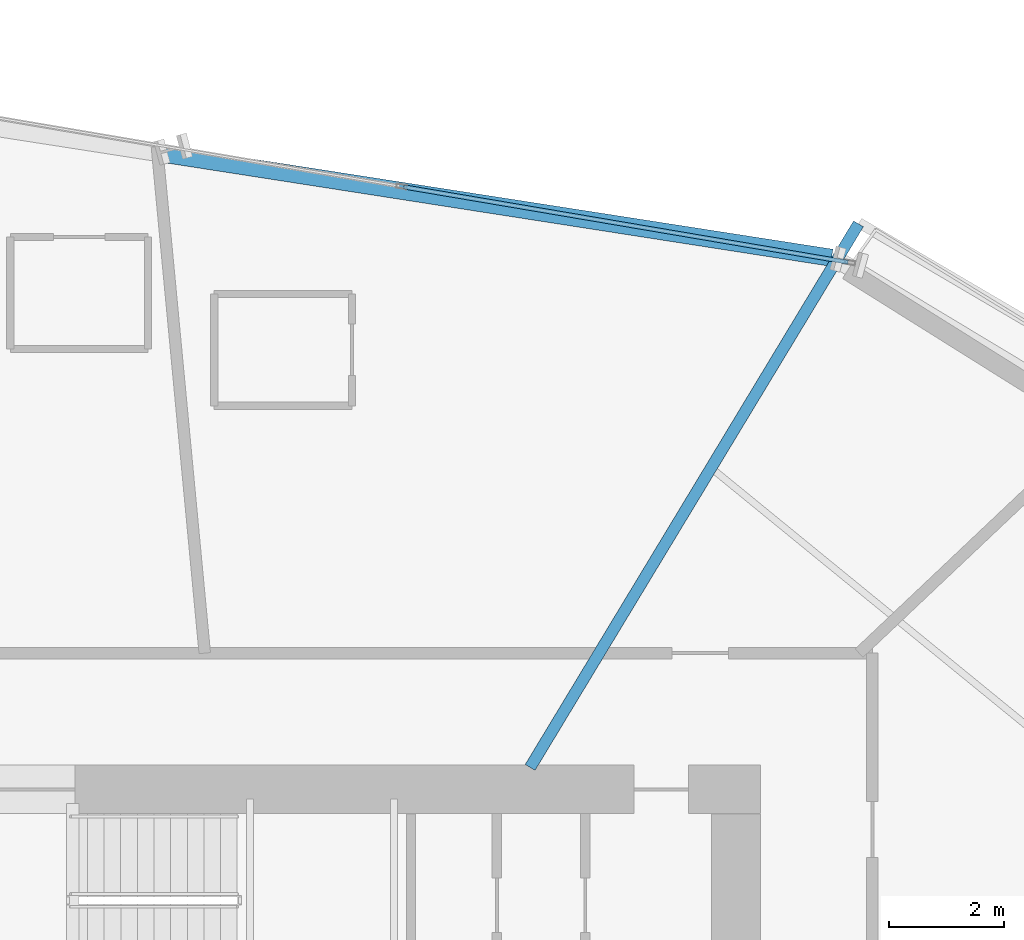
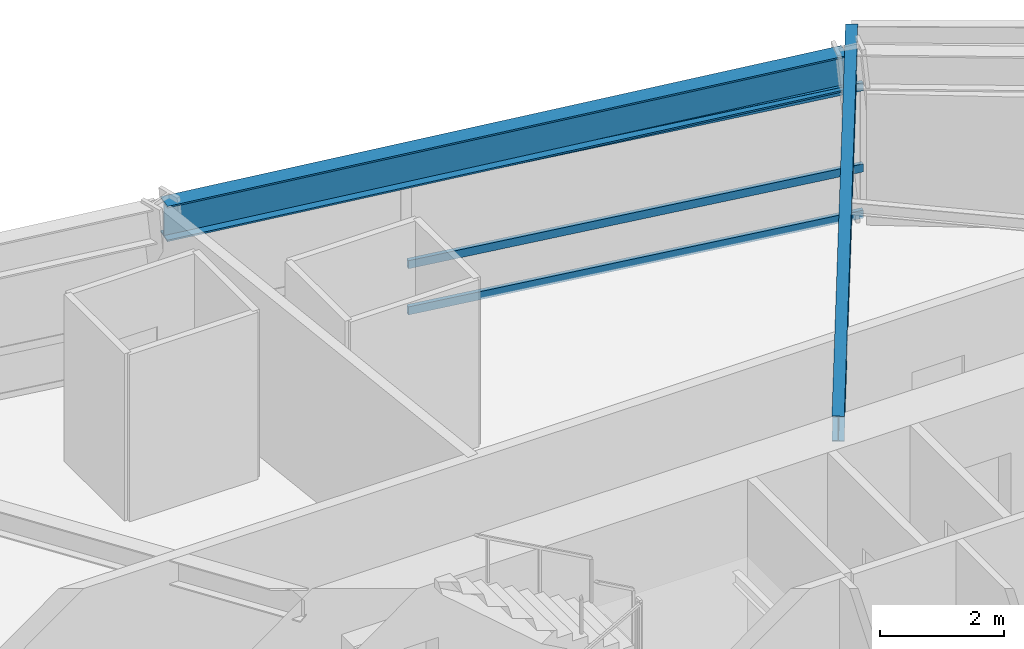
# One storey, part 9 of 21: 3 members, 2 beams, 1 element without a shape of its own.
"""IFC4 building model written with IfcOpenShell, lengths in metres."""

from ifc_helpers import new_model, si_unit, direction, frame, origin, origin_2d, place, context, subcontext, project, spatial, hollow_rectangle, i_section, extrude, source, transform, mapped, material, material_profile, profile_set, type_object, element, aggregate, save


model = new_model("IFC4")

# Units and contexts
model_context = context("Model", 3, precision=1e-05, world=origin(), true_north=direction((0.0, 1.0)))
body_context = subcontext(model_context, "Body", "Model", "MODEL_VIEW")
ifc_project = project(units=[si_unit("LENGTHUNIT", "METRE"), si_unit("AREAUNIT", "SQUARE_METRE"), si_unit("VOLUMEUNIT", "CUBIC_METRE"), si_unit("PLANEANGLEUNIT", "RADIAN"), si_unit("MASSUNIT", "GRAM", prefix="KILO")], contexts=[model_context])

# Site, building, storey
site_placement = place(None, origin())
site = spatial("IfcSite", under=ifc_project, at=site_placement, CompositionType="ELEMENT")
building_placement = place(site_placement, origin())
building = spatial("IfcBuilding", under=site, at=building_placement, Name="Olszyna Solenne Hotel", CompositionType="ELEMENT")
storey_placement = place(building_placement, frame((0.0, 0.0, 47.050048828125)))
storey = spatial("IfcBuildingStorey", under=building, at=storey_placement, Name="L11", CompositionType="ELEMENT", Elevation=47.050048828125)

# Beams
ifc_material_1 = material(Name="Steel S355J2", Category="steel")
ifc_material_profile_1 = material_profile(ifc_material_1, i_section(OverallWidth=0.300048828125, OverallDepth=0.699951171875, WebThickness=0.01708984375, FlangeThickness=0.031982421875, at=origin_2d()), Name="HEB 700", Category="load-bearing")
ifc_profile_set_1 = profile_set([ifc_material_profile_1], Name="Steel S355J2")
beam_type_1 = type_object("IfcBeamType", Name="BM-S1", PredefinedType="BEAM", material=ifc_profile_set_1)
shared_shape_1 = source(origin(), body_context, "Body", "SweptSolid", [
    extrude(i_section(OverallWidth=0.300048828125, OverallDepth=0.699951171875, WebThickness=0.01708984375, FlangeThickness=0.031982421875, at=origin_2d()), origin(), (0.0, 0.0, 1.0), 11.8134765625),
])
beam_1_placement = place(storey_placement, frame((47.990234375, 43.391357421875, 2.949951171875), z_axis=(-0.988121420799, 0.15367516962, 0.0), x_axis=(-0.15367516962, -0.988121420799, 0.0)))
element("IfcBeam", 1, at=beam_1_placement, inside=storey, type_object=beam_type_1, Name="Perimeter spandrel beam BM-S1 B-L11-0349", PredefinedType="BEAM", context=body_context, shape_type="MappedRepresentation", body=[
    mapped(shared_shape_1, transform((0.0, 0.0, 0.0), x_axis=(1.0, 0.0, 0.0), y_axis=(0.0, 1.0, 0.0), z_axis=(0.0, 0.0, 1.0), scale=1.0)),
])
ifc_material_profile_2 = material_profile(ifc_material_1, i_section(OverallWidth=0.199951171875, OverallDepth=0.5, WebThickness=0.01025390625, FlangeThickness=0.01611328125, at=origin_2d()), Name="IPE 500", Category="load-bearing")
ifc_profile_set_2 = profile_set([ifc_material_profile_2], Name="Steel S355J2")
beam_type_2 = type_object("IfcBeamType", Name="BM-F3", PredefinedType="BEAM", material=ifc_profile_set_2)
shared_shape_2 = source(origin(), body_context, "Body", "SweptSolid", [
    extrude(i_section(OverallWidth=0.199951171875, OverallDepth=0.5, WebThickness=0.01025390625, FlangeThickness=0.01611328125, at=origin_2d()), origin(), (0.0, 0.0, 1.0), 11.06982421875),
])
beam_2_placement = place(storey_placement, frame((48.459228515625, 43.982177734375, 3.050048828125), z_axis=(-0.517088038316, -0.85593221731, 0.0), x_axis=(0.85593221731, -0.517088038316, 0.0)))
element("IfcBeam", 2, at=beam_2_placement, inside=storey, type_object=beam_type_2, Name="Radial floor girder BM-F3 B-L11-0361", PredefinedType="BEAM", context=body_context, shape_type="MappedRepresentation", body=[
    mapped(shared_shape_2, transform((0.0, 0.0, 0.0), x_axis=(1.0, 0.0, 0.0), y_axis=(0.0, 1.0, 0.0), z_axis=(0.0, 0.0, 1.0), scale=1.0)),
])

# Curtain wall, members
ifc_material_2 = material(Name="Anodised bronze aluminium", Category="aluminium")
curtain_wall_type = type_object("IfcCurtainWallType", Name="CW-SYS-2", PredefinedType="NOTDEFINED", material=ifc_material_2)
curtain_wall_placement = place(storey_placement, origin())
curtain_wall = element("IfcCurtainWall", 3, at=curtain_wall_placement, inside=storey, type_object=curtain_wall_type, Name="Unitised curtain wall CW-SYS-2 CW-L11-02", PredefinedType="NOTDEFINED")
ifc_material_profile_3 = material_profile(ifc_material_2, hollow_rectangle(XDim=0.074951171875, YDim=0.159912109375, WallThickness=0.00390625, at=origin_2d()), Name="TRAN 160x75x4", Category="load-bearing")
ifc_profile_set_3 = profile_set([ifc_material_profile_3], Name="Anodised bronze aluminium")
member_type = type_object("IfcMemberType", Name="CW-T1", PredefinedType="USERDEFINED", material=ifc_profile_set_3)
shared_shape_3 = source(origin(), body_context, "Body", "SweptSolid", [
    extrude(hollow_rectangle(XDim=0.074951171875, YDim=0.159912109375, WallThickness=0.00390625, at=origin_2d()), origin(), (0.0, 0.0, 1.0), 7.85400390625),
])
member_1_placement = place(storey_placement, frame((40.53369140625, 44.6259765625, 0.037353515625), z_axis=(0.985906595778, -0.16729669573, 0.0), x_axis=(0.16729669573, 0.985906595778, 0.0)))
member_1 = element("IfcMember", 4, at=member_1_placement, type_object=member_type, Name="Curtain-wall transom CW-T1 CT-L11-02-07", ObjectType="TRANSOM", PredefinedType="USERDEFINED", context=body_context, shape_type="MappedRepresentation", body=[
    mapped(shared_shape_3, transform((0.0, 0.0, 0.0), x_axis=(1.0, 0.0, 0.0), y_axis=(0.0, 1.0, 0.0), z_axis=(0.0, 0.0, 1.0), scale=1.0)),
])
member_2_placement = place(storey_placement, frame((40.53369140625, 44.6259765625, 0.949951171875), z_axis=(0.985906595778, -0.16729669573, 0.0), x_axis=(0.16729669573, 0.985906595778, 0.0)))
member_2 = element("IfcMember", 5, at=member_2_placement, type_object=member_type, Name="Curtain-wall transom CW-T1 CT-L11-02-08", ObjectType="TRANSOM", PredefinedType="USERDEFINED", context=body_context, shape_type="MappedRepresentation", body=[
    mapped(shared_shape_3, transform((0.0, 0.0, 0.0), x_axis=(1.0, 0.0, 0.0), y_axis=(0.0, 1.0, 0.0), z_axis=(0.0, 0.0, 1.0), scale=1.0)),
])
member_3_placement = place(storey_placement, frame((40.53369140625, 44.6259765625, 2.554443359375), z_axis=(0.985906595778, -0.16729669573, 0.0), x_axis=(0.16729669573, 0.985906595778, 0.0)))
member_3 = element("IfcMember", 6, at=member_3_placement, type_object=member_type, Name="Curtain-wall transom CW-T1 CT-L11-02-09", ObjectType="TRANSOM", PredefinedType="USERDEFINED", context=body_context, shape_type="MappedRepresentation", body=[
    mapped(shared_shape_3, transform((0.0, 0.0, 0.0), x_axis=(1.0, 0.0, 0.0), y_axis=(0.0, 1.0, 0.0), z_axis=(0.0, 0.0, 1.0), scale=1.0)),
])
aggregate(curtain_wall, [member_1, member_2, member_3])

save(model, "model.ifc")
